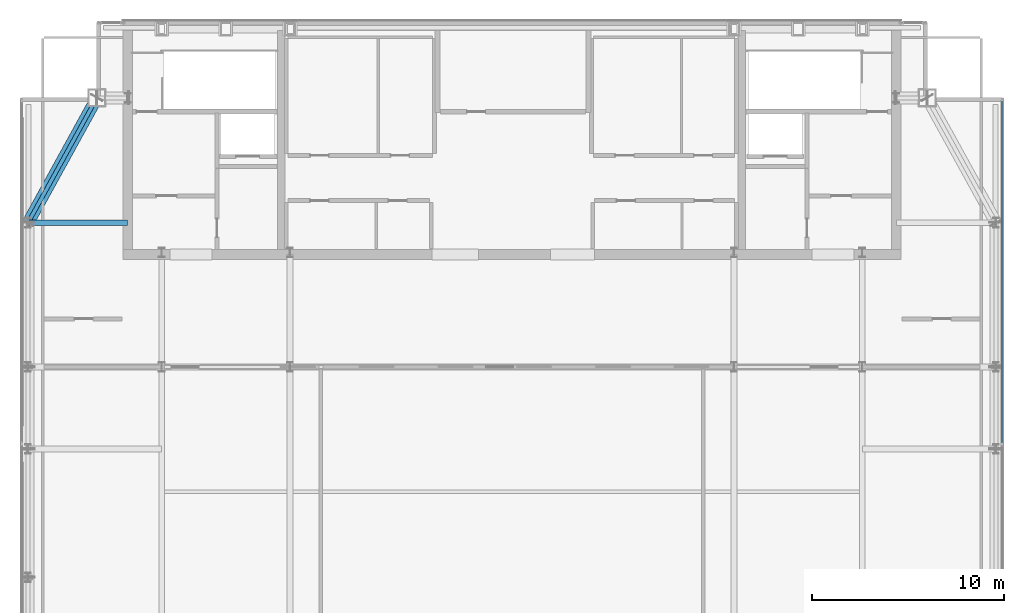
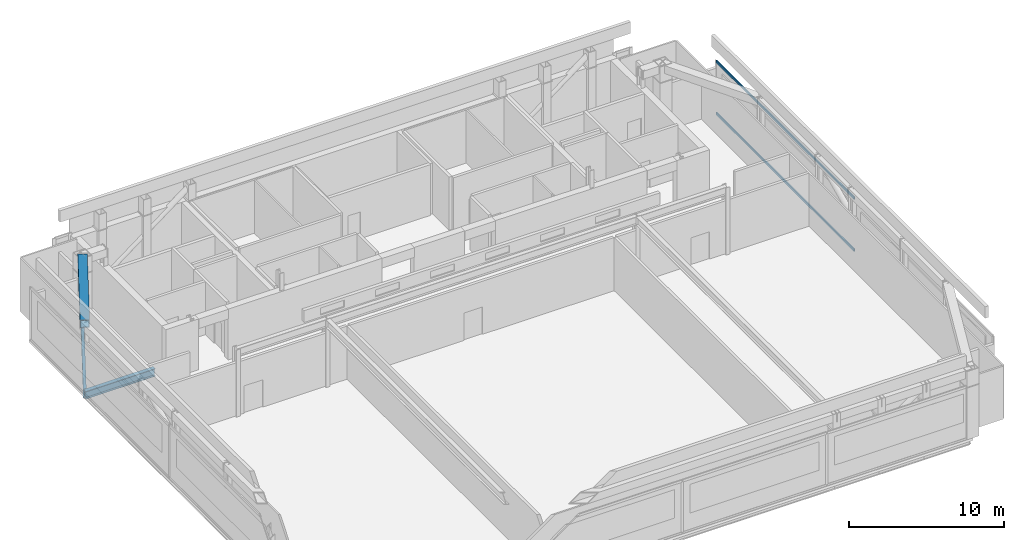
# One storey, part 15 of 24: 3 beams, 2 members, 1 element without a shape of its own.
"""IFC4 building model written with IfcOpenShell, lengths in metres."""

from ifc_helpers import new_model, si_unit, direction, frame, origin, origin_2d, place, context, subcontext, project, spatial, hollow_rectangle, i_section, extrude, material, material_profile, profile_set, type_object, element, aggregate, save


model = new_model("IFC4")

# Units and contexts
model_context = context("Model", 3, precision=1e-05, world=origin(), true_north=direction((0.0, 1.0)))
body_context = subcontext(model_context, "Body", "Model", "MODEL_VIEW")
ifc_project = project(units=[si_unit("LENGTHUNIT", "METRE"), si_unit("AREAUNIT", "SQUARE_METRE"), si_unit("VOLUMEUNIT", "CUBIC_METRE"), si_unit("PLANEANGLEUNIT", "RADIAN"), si_unit("MASSUNIT", "GRAM", prefix="KILO")], contexts=[model_context])

# Site, building, storey
site_placement = place(None, origin())
site = spatial("IfcSite", under=ifc_project, at=site_placement, CompositionType="ELEMENT")
building_placement = place(site_placement, origin())
building = spatial("IfcBuilding", under=site, at=building_placement, Name="Khoronbel Lancet Exchange", CompositionType="ELEMENT")
storey_placement = place(building_placement, frame((0.0, 0.0, 378.60009765625)))
storey = spatial("IfcBuildingStorey", under=building, at=storey_placement, Name="L96", CompositionType="ELEMENT", Elevation=378.60009765625)

# Beams
ifc_material_1 = material(Name="Steel S355", Category="steel")
ifc_material_profile_1 = material_profile(ifc_material_1, i_section(OverallWidth=0.300048828125, OverallDepth=0.60009765625, WebThickness=0.015380859375, FlangeThickness=0.030029296875, at=origin_2d()), Name="HEB 600")
ifc_profile_set_1 = profile_set([ifc_material_profile_1], Name="Steel S355")
beam_type_1 = type_object("IfcBeamType", Name="BM-BG5", PredefinedType="BEAM", material=ifc_profile_set_1)
beam_1_placement = place(storey_placement, frame((11.27001953125, 43.199951171875, -0.5), z_axis=(1.0, 0.0, 0.0), x_axis=(0.0, 1.0, 0.0)))
element("IfcBeam", 1, at=beam_1_placement, inside=storey, type_object=beam_type_1, Name="Level L96 west lens tie girder LG3W", PredefinedType="BEAM", context=body_context, shape_type="SweptSolid", body=[
    extrude(i_section(OverallWidth=0.300048828125, OverallDepth=0.60009765625, WebThickness=0.015380859375, FlangeThickness=0.030029296875, at=origin_2d()), origin(), (0.0, 0.0, 1.0), 5.179931640625),
])
ifc_material_profile_2 = material_profile(ifc_material_1, i_section(OverallWidth=0.2099609375, OverallDepth=0.550048828125, WebThickness=0.010986328125, FlangeThickness=0.01708984375, at=origin_2d()), Name="IPE 550")
ifc_profile_set_2 = profile_set([ifc_material_profile_2], Name="Steel S355")
beam_type_2 = type_object("IfcBeamType", Name="BM-BSP3", PredefinedType="SPANDREL", material=ifc_profile_set_2)
beam_2_placement = place(storey_placement, frame((14.85009765625, 49.699951171875, -0.47509765625), z_axis=(-0.482444051088, -0.875926787791, 0.0), x_axis=(0.875926787791, -0.482444051088, 0.0)))
element("IfcBeam", 2, at=beam_2_placement, inside=storey, type_object=beam_type_2, Name="Level L96 perimeter spandrel beam SP14", PredefinedType="SPANDREL", context=body_context, shape_type="SweptSolid", body=[
    extrude(i_section(OverallWidth=0.2099609375, OverallDepth=0.550048828125, WebThickness=0.010986328125, FlangeThickness=0.01708984375, at=origin_2d()), origin(), (0.0, 0.0, 1.0), 7.420654296875),
])
ifc_material_profile_3 = material_profile(ifc_material_1, hollow_rectangle(XDim=0.6201171875, YDim=0.6201171875, WallThickness=0.0400390625, at=origin_2d()), Name="BOX 620x620x40")
ifc_profile_set_3 = profile_set([ifc_material_profile_3], Name="Steel S355")
beam_type_3 = type_object("IfcBeamType", Name="BM-RB1", PredefinedType="USERDEFINED", material=ifc_profile_set_3)
beam_3_placement = place(storey_placement, frame((14.85009765625, 49.699951171875, 5.0498046875), z_axis=(-0.482444051088, -0.875926787791, 0.0), x_axis=(0.875926787791, -0.482444051088, 0.0)))
element("IfcBeam", 3, at=beam_3_placement, inside=storey, type_object=beam_type_3, Name="CROWN FRAME top ring cap beam RB16", ObjectType="RING BEAM", PredefinedType="USERDEFINED", context=body_context, shape_type="SweptSolid", body=[
    extrude(hollow_rectangle(XDim=0.6201171875, YDim=0.6201171875, WallThickness=0.0400390625, at=origin_2d()), origin(), (0.0, 0.0, 1.0), 7.420654296875),
])

# Curtain wall, members
ifc_material_2 = material(Name="Low-E Solar Control Insulating Glass", Category="glass")
curtain_wall_type = type_object("IfcCurtainWallType", Name="CW-6", PredefinedType="NOTDEFINED", material=ifc_material_2)
curtain_wall_placement = place(storey_placement, origin())
curtain_wall = element("IfcCurtainWall", 4, at=curtain_wall_placement, inside=storey, type_object=curtain_wall_type, Name="Unitised curtain wall CW-L96-E09", PredefinedType="NOTDEFINED")
ifc_material_3 = material(Name="Bronze-Anodised Aluminium 6063-T6", Category="aluminium")
ifc_material_profile_4 = material_profile(ifc_material_3, hollow_rectangle(XDim=0.0849609375, YDim=0.179931640625, WallThickness=0.0048828125, at=origin_2d()), Name="ALU TRANSOM 85x180")
ifc_profile_set_4 = profile_set([ifc_material_profile_4], Name="Bronze-Anodised Aluminium 6063-T6")
member_type = type_object("IfcMemberType", Name="MEM-CWT1", PredefinedType="USERDEFINED", material=ifc_profile_set_4)
member_1_placement = place(storey_placement, frame((61.9599609375, 49.534912109375, 0.04248046875), z_axis=(0.0, -1.0, 0.0), x_axis=(1.0, 0.0, 0.0)))
member_1 = element("IfcMember", 5, at=member_1_placement, type_object=member_type, Name="CW6 transom 1.1", ObjectType="TRANSOM", PredefinedType="USERDEFINED", context=body_context, shape_type="SweptSolid", body=[
    extrude(hollow_rectangle(XDim=0.0849609375, YDim=0.179931640625, WallThickness=0.0048828125, at=origin_2d()), origin(), (0.0, 0.0, 1.0), 17.79736328125),
])
member_2_placement = place(storey_placement, frame((61.9599609375, 49.534912109375, 4.137451171875), z_axis=(0.0, -1.0, 0.0), x_axis=(1.0, 0.0, 0.0)))
member_2 = element("IfcMember", 6, at=member_2_placement, type_object=member_type, Name="CW6 transom 1.2", ObjectType="TRANSOM", PredefinedType="USERDEFINED", context=body_context, shape_type="SweptSolid", body=[
    extrude(hollow_rectangle(XDim=0.0849609375, YDim=0.179931640625, WallThickness=0.0048828125, at=origin_2d()), origin(), (0.0, 0.0, 1.0), 17.79736328125),
])
aggregate(curtain_wall, [member_1, member_2])

save(model, "model.ifc")
